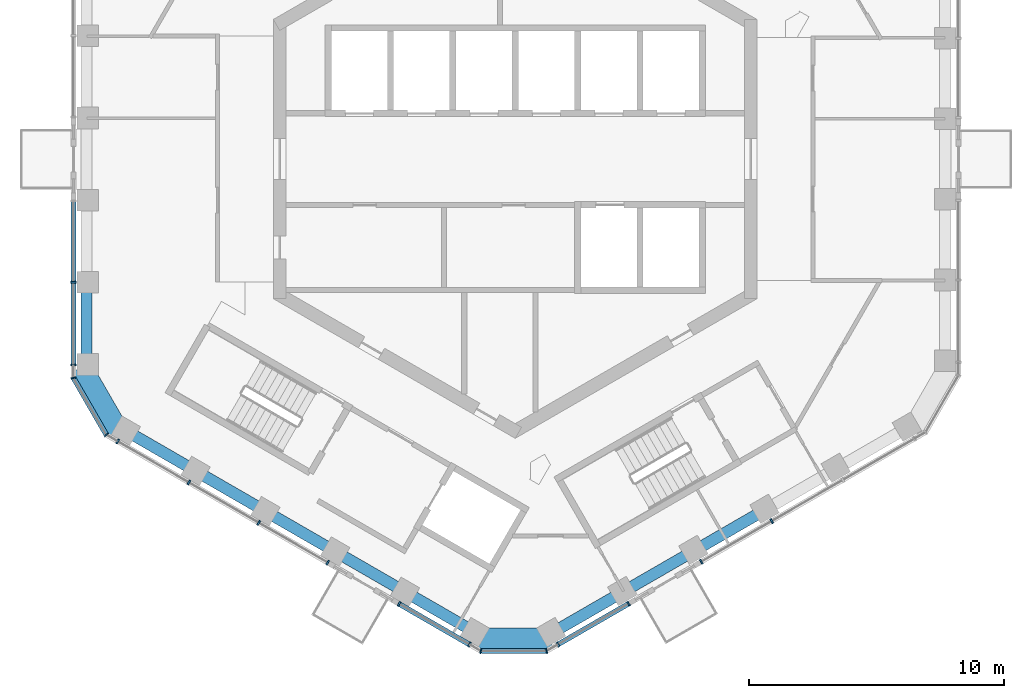
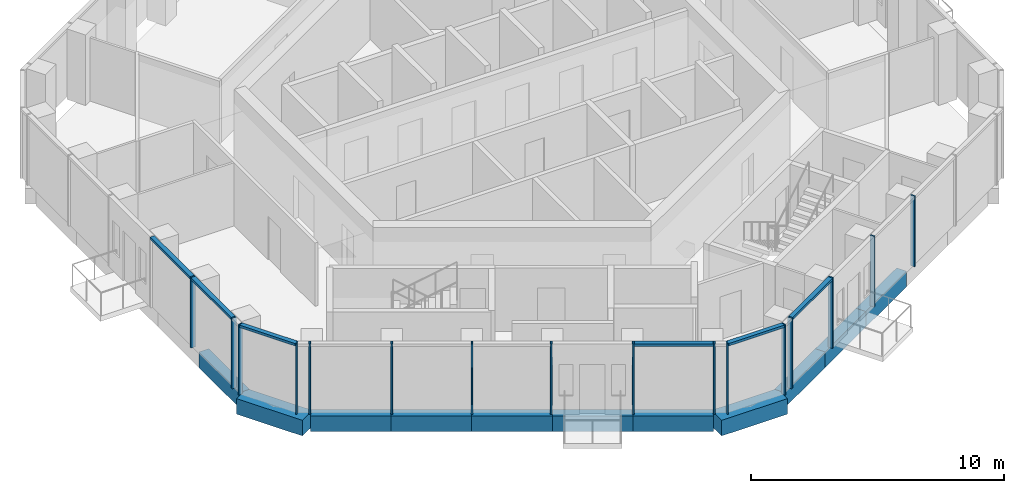
# One storey, part 2 of 19: 21 members, 11 beams, 7 elements without a shape of their own.
"""IFC4 building model written with IfcOpenShell, lengths in metres."""

import ifcopenshell
import ifcopenshell.guid

model = None  # the IFC model being written
_history = None  # IfcOwnerHistory: only IFC2X3 demands one
_inside = {}  # id of a spatial element -> (the spatial element, [elements in it])
_under = {}  # id of a project, library or spatial element -> (it, [spatial elements below it])
_declared = {}  # id of a project -> (the project, [libraries it declares])
_typed = {}  # id of a type object -> (the type object, [elements of that type])
_made_of = {}  # id of a material, layer set ... -> (it, [elements and type objects made of it])


def new_model(schema):
    """Start an empty IFC model of exactly this schema.

    Asked for "IFC4X3", IfcOpenShell would pick the latest addendum, in which some entities
    have other attributes; the version numbers below select the first issue.
    IFC2X3 requires an IfcOwnerHistory on every rooted entity: one is made here for all.
    """
    global model, _history
    if schema == "IFC4X3":
        model = ifcopenshell.file(schema_version=(4, 3, 0, 0))
    else:
        model = ifcopenshell.file(schema=schema)
    _inside.clear()
    _under.clear()
    _declared.clear()
    _typed.clear()
    _made_of.clear()
    _history = None
    if model.schema == "IFC2X3":
        org = make("IfcOrganization", Name="unknown")
        user = make(
            "IfcPersonAndOrganization",
            ThePerson=make("IfcPerson", FamilyName="unknown"),
            TheOrganization=org,
        )
        app = make(
            "IfcApplication",
            ApplicationDeveloper=org,
            Version="unknown",
            ApplicationFullName="unknown",
            ApplicationIdentifier="unknown",
        )
        _history = make(
            "IfcOwnerHistory",
            OwningUser=user,
            OwningApplication=app,
            ChangeAction="ADDED",
            CreationDate=0,
        )
    return model


def make(cls, **values):
    """One entity of the class cls with the attributes given. An attribute that is None is left unset."""
    return model.create_entity(
        cls, **{name: value for name, value in values.items() if value is not None}
    )


def rooted(cls, **values):
    """An entity with a GlobalId (a new one), such as an element, a storey or a relation."""
    return make(cls, GlobalId=ifcopenshell.guid.new(), OwnerHistory=_history, **values)


def si_unit(unit_type, name, prefix=None):
    """IfcSIUnit, for example si_unit("LENGTHUNIT", "METRE", prefix="MILLI")."""
    return make("IfcSIUnit", UnitType=unit_type, Prefix=prefix, Name=name)


def assignment(units):
    """IfcUnitAssignment: the units of a project."""
    return None if units is None else make("IfcUnitAssignment", Units=units)


def point(xyz):
    """IfcCartesianPoint."""
    return None if xyz is None else make("IfcCartesianPoint", Coordinates=xyz)


def direction(xyz):
    """IfcDirection."""
    return None if xyz is None else make("IfcDirection", DirectionRatios=xyz)


def frame(location, z_axis=None, x_axis=None):
    """IfcAxis2Placement3D, a coordinate frame: its origin and axes. An axis left out is left unset."""
    return make(
        "IfcAxis2Placement3D",
        Location=point(location),
        Axis=direction(z_axis),
        RefDirection=direction(x_axis),
    )


def frame_2d(location, x_axis=None):
    """IfcAxis2Placement2D, a coordinate frame in the plane: its origin and x axis."""
    return make(
        "IfcAxis2Placement2D", Location=point(location), RefDirection=direction(x_axis)
    )


def origin():
    """The frame at (0, 0, 0) with its axes left unset."""
    return frame((0.0, 0.0, 0.0))


def origin_2d():
    """The frame at (0, 0) in the plane with its x axis left unset."""
    return frame_2d((0.0, 0.0))


def place(relative_to, where):
    """IfcLocalPlacement: puts the frame where relative to a parent placement (None: the world)."""
    return make(
        "IfcLocalPlacement", PlacementRelTo=relative_to, RelativePlacement=where
    )


def context(
    kind, dimensions, precision=None, world=None, true_north=None, identifier=None
):
    """IfcGeometricRepresentationContext, for example the 3D "Model" context."""
    return make(
        "IfcGeometricRepresentationContext",
        ContextIdentifier=identifier,
        ContextType=kind,
        CoordinateSpaceDimension=dimensions,
        Precision=precision,
        WorldCoordinateSystem=world,
        TrueNorth=true_north,
    )


def subcontext(parent, identifier, kind, view, scale=None):
    """IfcGeometricRepresentationSubContext, for example "Body" below "Model"."""
    return make(
        "IfcGeometricRepresentationSubContext",
        ContextIdentifier=identifier,
        ContextType=kind,
        ParentContext=parent,
        TargetScale=scale,
        TargetView=view,
    )


def project(units=None, contexts=None):
    """IfcProject with its units and contexts."""
    return rooted(
        "IfcProject",
        Name="project",
        RepresentationContexts=contexts,
        UnitsInContext=assignment(units),
    )


def spatial(cls, under=None, at=None, **own):
    """A site, building, storey or space (cls), placed at a placement, below another one or the project."""
    s = rooted(cls, ObjectPlacement=at, **own)
    if under is not None:
        _under.setdefault(under.id(), (under, []))[1].append(s)
    return s


def profile(cls, at=None, kind="AREA", **sizes):
    """A parametric profile (cls). Its sizes go by their IFC names, for example OverallWidth=200.0."""
    return make(cls, ProfileType=kind, Position=at, **sizes)


def rectangle(**sizes):
    """IfcRectangleProfileDef."""
    return profile("IfcRectangleProfileDef", **sizes)


def extrude(swept, where, along, depth):
    """IfcExtrudedAreaSolid: the profile swept, set in the frame where, extruded along a direction by depth."""
    return make(
        "IfcExtrudedAreaSolid",
        SweptArea=swept,
        Position=where,
        ExtrudedDirection=direction(along),
        Depth=depth,
    )


def shape(context_of_items, identifier, shape_type, items):
    """IfcShapeRepresentation: the items that make up one representation, for example the "Body"."""
    return make(
        "IfcShapeRepresentation",
        ContextOfItems=context_of_items,
        RepresentationIdentifier=identifier,
        RepresentationType=shape_type,
        Items=items,
    )


def material(Name=None, Category=None):
    """IfcMaterial."""
    return make("IfcMaterial", Name=Name, Category=Category)


def layer(
    of_material, thickness, ventilated=None, Name=None, Category=None, Priority=None
):
    """IfcMaterialLayer: one layer of a wall or slab, of a material (None: an air gap)."""
    return make(
        "IfcMaterialLayer",
        Material=of_material,
        LayerThickness=thickness,
        IsVentilated=ventilated,
        Name=Name,
        Category=Category,
        Priority=Priority,
    )


def layer_set(layers, Name=None):
    """IfcMaterialLayerSet."""
    return make("IfcMaterialLayerSet", MaterialLayers=layers, LayerSetName=Name)


def material_profile(
    of_material, cross_section, Name=None, Category=None, Priority=None
):
    """IfcMaterialProfile: a cross section and its material."""
    return make(
        "IfcMaterialProfile",
        Name=Name,
        Material=of_material,
        Profile=cross_section,
        Priority=Priority,
        Category=Category,
    )


def profile_set(profiles, Name=None, composite=None):
    """IfcMaterialProfileSet."""
    return make(
        "IfcMaterialProfileSet",
        Name=Name,
        MaterialProfiles=profiles,
        CompositeProfile=composite,
    )


def made_of(thing, what):
    """Note that an element or type object is made of a material, layer set ...; save() writes the relation."""
    if what is not None:
        _made_of.setdefault(what.id(), (what, []))[1].append(thing)
    return thing


def type_object(cls, material=None, **own):
    """A type object (cls), such as IfcWallType, which elements share."""
    return made_of(rooted(cls, **own), material)


def element(
    cls,
    number,
    at=None,
    inside=None,
    cuts=None,
    type_object=None,
    material=None,
    context=None,
    identifier="Body",
    shape_type=None,
    held_by="IfcProductDefinitionShape",
    body=None,
    shapes=None,
    **own,
):
    """One element of the class cls, such as IfcWall. Its Tag is "e" and its number.

    at: its placement. inside: the storey or other place that contains it. cuts: it is an
    opening in that element (IfcRelVoidsElement). A single representation is given by context,
    identifier, shape_type and body (its items); several are given by shapes. held_by: the class
    of the entity that holds the representations. save() writes the other relations.
    """
    e = rooted(cls, Tag="e%d" % number, ObjectPlacement=at, **own)
    if body is not None:
        shapes = [shape(context, identifier, shape_type, body)]
    if shapes is not None:
        e.Representation = make(held_by, Representations=shapes)
    if inside is not None:
        _inside.setdefault(inside.id(), (inside, []))[1].append(e)
    if cuts is not None:
        rooted(
            "IfcRelVoidsElement", RelatingBuildingElement=cuts, RelatedOpeningElement=e
        )
    if type_object is not None:
        _typed.setdefault(type_object.id(), (type_object, []))[1].append(e)
    return made_of(e, material)


def aggregate(whole, parts):
    """IfcRelAggregates: a whole, such as a stair, and the parts it consists of."""
    return rooted("IfcRelAggregates", RelatingObject=whole, RelatedObjects=parts)


def save(model, path):
    """Write the relations noted so far, then the file.

    IfcRelAggregates (storeys below a building ...), IfcRelContainedInSpatialStructure (elements
    in a storey), IfcRelDefinesByType, IfcRelAssociatesMaterial and IfcRelDeclares: one each for
    every whole, place, type object, material and project.
    """
    for whole, parts in _under.values():
        aggregate(whole, parts)
    for where, things in _inside.values():
        rooted(
            "IfcRelContainedInSpatialStructure",
            RelatedElements=things,
            RelatingStructure=where,
        )
    for kind, things in _typed.values():
        rooted("IfcRelDefinesByType", RelatedObjects=things, RelatingType=kind)
    for what, things in _made_of.values():
        rooted("IfcRelAssociatesMaterial", RelatedObjects=things, RelatingMaterial=what)
    for by, libraries in _declared.values():
        rooted("IfcRelDeclares", RelatingContext=by, RelatedDefinitions=libraries)
    model.write(path)


model = new_model("IFC4")

# Units and contexts
model_context = context("Model", 3, precision=1e-05, world=origin(), true_north=direction((0.0, 1.0)))
body_context = subcontext(model_context, "Body", "Model", "MODEL_VIEW")
ifc_project = project(units=[si_unit("LENGTHUNIT", "METRE"), si_unit("AREAUNIT", "SQUARE_METRE"), si_unit("VOLUMEUNIT", "CUBIC_METRE"), si_unit("PLANEANGLEUNIT", "RADIAN"), si_unit("MASSUNIT", "GRAM", prefix="KILO")], contexts=[model_context])

# Site, building, storey
site_placement = place(None, origin())
site = spatial("IfcSite", under=ifc_project, at=site_placement, CompositionType="ELEMENT")
building_placement = place(site_placement, origin())
building = spatial("IfcBuilding", under=site, at=building_placement, Name="Ayvan Gate Tower", CompositionType="ELEMENT")
storey_placement = place(building_placement, frame((0.0, 0.0, 222.300048828125)))
storey = spatial("IfcBuildingStorey", under=building, at=storey_placement, Name="L59", CompositionType="ELEMENT", Elevation=222.300048828125)

# Beams
ifc_material_1 = material(Name="Concrete C40/50", Category="concrete")
ifc_material_profile_1 = material_profile(ifc_material_1, rectangle(XDim=0.800048828125, YDim=0.75, at=origin_2d()), Name="RC 800x750")
ifc_profile_set_1 = profile_set([ifc_material_profile_1], Name="Concrete C40/50")
beam_type_1 = type_object("IfcBeamType", Name="Corner spandrel beam RC 800x750 C40/50", PredefinedType="BEAM", material=ifc_profile_set_1)
for number, where, z_axis, x_axis, name in (
    (1, (-17.03125, -8.15478515625, -0.72509765625), (0.499990139034, -0.866031096941, 0.0), (0.866031096941, 0.499990139034, 0.0), "SB-L59-24"),
    (2, (-1.546630859375, -18.826904296875, -0.72509765625), (1.0, 0.0, 0.0), (0.0, 1.0, 0.0), "SB-L59-30"),
):
    element("IfcBeam", number, at=place(storey_placement, frame(where, z_axis=z_axis, x_axis=x_axis)), inside=storey, type_object=beam_type_1, Name=name, PredefinedType="BEAM", context=body_context, shape_type="SweptSolid", body=[
        extrude(rectangle(XDim=0.800048828125, YDim=0.75, at=origin_2d()), origin(), (0.0, 0.0, 1.0), 3.0),
    ])
ifc_material_profile_2 = material_profile(ifc_material_1, rectangle(XDim=0.449951171875, YDim=0.75, at=origin_2d()), Name="RC 450x750")
ifc_profile_set_2 = profile_set([ifc_material_profile_2], Name="Concrete C40/50")
beam_type_2 = type_object("IfcBeamType", Name="Spandrel beam RC 450x750 C40/50", PredefinedType="BEAM", material=ifc_profile_set_2)
beam_1_placement = place(storey_placement, frame((-16.8408203125, -4.826904296875, -0.72509765625), z_axis=(0.0, -1.0, 0.0), x_axis=(1.0, 0.0, 0.0)))
element("IfcBeam", 3, at=beam_1_placement, inside=storey, type_object=beam_type_2, Name="SB-L59-23", PredefinedType="BEAM", context=body_context, shape_type="SweptSolid", body=[
    extrude(rectangle(XDim=0.449951171875, YDim=0.75, at=origin_2d()), origin(), (0.0, 0.0, 1.0), 3.218017578125),
])
for number, where, z_axis, x_axis, name in (
    (4, (-15.3408203125, -10.64306640625, -0.72509765625), (0.86602732995, -0.499996663769, 0.0), (0.499996663769, 0.86602732995, 0.0), "SB-L59-25"),
    (5, (-12.58203125, -12.23583984375, -0.72509765625), (0.86602732995, -0.499996663769, 0.0), (0.499996663769, 0.86602732995, 0.0), "SB-L59-26"),
    (6, (-9.8232421875, -13.82861328125, -0.72509765625), (0.86602732995, -0.499996663769, 0.0), (0.499996663769, 0.86602732995, 0.0), "SB-L59-27"),
):
    element("IfcBeam", number, at=place(storey_placement, frame(where, z_axis=z_axis, x_axis=x_axis)), inside=storey, type_object=beam_type_2, Name=name, PredefinedType="BEAM", context=body_context, shape_type="SweptSolid", body=[
        extrude(rectangle(XDim=0.449951171875, YDim=0.75, at=origin_2d()), origin(), (0.0, 0.0, 1.0), 3.185546875),
    ])
beam_2_placement = place(storey_placement, frame((-7.064453125, -15.42138671875, -0.72509765625), z_axis=(0.866046487683, -0.499963479838, 0.0), x_axis=(0.499963479838, 0.866046487683, 0.0)))
element("IfcBeam", 7, at=beam_2_placement, inside=storey, type_object=beam_type_2, Name="SB-L59-28", PredefinedType="BEAM", context=body_context, shape_type="SweptSolid", body=[
    extrude(rectangle(XDim=0.449951171875, YDim=0.75, at=origin_2d()), origin(), (0.0, 0.0, 1.0), 3.185791015625),
])
beam_3_placement = place(storey_placement, frame((-4.305419921875, -17.01416015625, -0.72509765625), z_axis=(0.86602732995, -0.499996663769, 0.0), x_axis=(0.499996663769, 0.86602732995, 0.0)))
element("IfcBeam", 8, at=beam_3_placement, inside=storey, type_object=beam_type_2, Name="SB-L59-29", PredefinedType="BEAM", context=body_context, shape_type="SweptSolid", body=[
    extrude(rectangle(XDim=0.449951171875, YDim=0.75, at=origin_2d()), origin(), (0.0, 0.0, 1.0), 3.185546875),
])
for number, where, z_axis, x_axis, name in (
    (9, (1.453369140625, -18.60693359375, -0.72509765625), (0.866040295995, 0.499974205047, 0.0), (-0.499974205047, 0.866040295995, 0.0), "SB-L59-31"),
    (10, (4.240234375, -16.998046875, -0.72509765625), (0.866040295995, 0.499974205047, 0.0), (-0.499974205047, 0.866040295995, 0.0), "SB-L59-32"),
):
    element("IfcBeam", number, at=place(storey_placement, frame(where, z_axis=z_axis, x_axis=x_axis)), inside=storey, type_object=beam_type_2, Name=name, PredefinedType="BEAM", context=body_context, shape_type="SweptSolid", body=[
        extrude(rectangle(XDim=0.449951171875, YDim=0.75, at=origin_2d()), origin(), (0.0, 0.0, 1.0), 3.218017578125),
    ])
beam_4_placement = place(storey_placement, frame((7.027099609375, -15.38916015625, -0.72509765625), z_axis=(0.865988473761, 0.500063959222, 0.0), x_axis=(-0.500063959222, 0.865988473761, 0.0)))
element("IfcBeam", 11, at=beam_4_placement, inside=storey, type_object=beam_type_2, Name="SB-L59-33", PredefinedType="BEAM", context=body_context, shape_type="SweptSolid", body=[
    extrude(rectangle(XDim=0.449951171875, YDim=0.75, at=origin_2d()), origin(), (0.0, 0.0, 1.0), 3.2177734375),
])

# Curtain wall, members
ifc_material_2 = material(Name="Bronze anodised aluminium", Category="aluminium")
ifc_layer_1 = layer(ifc_material_2, 0.199951171875)
ifc_layer_set_1 = layer_set([ifc_layer_1], Name="Bronze anodised aluminium")
curtain_wall_type_1 = type_object("IfcCurtainWallType", Name="Stick curtain wall CW-2", PredefinedType="NOTDEFINED", material=ifc_layer_set_1)
curtain_wall_1_placement = place(storey_placement, origin())
curtain_wall_1 = element("IfcCurtainWall", 12, at=curtain_wall_1_placement, inside=storey, type_object=curtain_wall_type_1, Name="Stick curtain wall CW-2 L59", PredefinedType="NOTDEFINED")
ifc_material_profile_3 = material_profile(ifc_material_2, rectangle(XDim=0.199951171875, YDim=0.070068359375, at=origin_2d()), Name="Stick curtain wall CW-2 mullion 200 x 70")
ifc_profile_set_3 = profile_set([ifc_material_profile_3], Name="Bronze anodised aluminium")
member_type_1 = type_object("IfcMemberType", Name="Stick curtain wall CW-2 mullion 200 x 70", PredefinedType="MULLION", material=ifc_profile_set_3)
member_1_placement = place(storey_placement, frame((-17.35302734375, -4.841552734375, 0.0), z_axis=(0.0, 0.0, 1.0), x_axis=(-1.0, 0.0, 0.0)))
member_1 = element("IfcMember", 13, at=member_1_placement, type_object=member_type_1, Name="CW-2 mullion 2", PredefinedType="MULLION", context=body_context, shape_type="SweptSolid", body=[
    extrude(rectangle(XDim=0.199951171875, YDim=0.070068359375, at=origin_2d()), origin(), (0.0, 0.0, 1.0), 3.39990234375),
])
member_2_placement = place(storey_placement, frame((-17.35302734375, -8.08642578125, 0.0), z_axis=(0.0, 0.0, 1.0), x_axis=(-1.0, 0.0, 0.0)))
member_2 = element("IfcMember", 14, at=member_2_placement, type_object=member_type_1, Name="CW-2 mullion 3", PredefinedType="MULLION", context=body_context, shape_type="SweptSolid", body=[
    extrude(rectangle(XDim=0.199951171875, YDim=0.070068359375, at=origin_2d()), origin(), (0.0, 0.0, 1.0), 3.39990234375),
])

curtain_wall_2_placement = place(storey_placement, origin())
curtain_wall_2 = element("IfcCurtainWall", 15, at=curtain_wall_2_placement, inside=storey, type_object=curtain_wall_type_1, Name="Stick curtain wall CW-2 L59", PredefinedType="NOTDEFINED")
member_3_placement = place(storey_placement, frame((-15.6201171875, -11.087890625, 0.0), z_axis=(0.0, 0.0, 1.0), x_axis=(-0.5, -0.866025403784, 0.0)))
member_3 = element("IfcMember", 16, at=member_3_placement, type_object=member_type_1, Name="CW-2 mullion 1", PredefinedType="MULLION", context=body_context, shape_type="SweptSolid", body=[
    extrude(rectangle(XDim=0.199951171875, YDim=0.070068359375, at=origin_2d()), origin(), (0.0, 0.0, 1.0), 3.39990234375),
])
member_4_placement = place(storey_placement, frame((-12.819580078125, -12.704833984375, 0.0), z_axis=(0.0, 0.0, 1.0), x_axis=(-0.5, -0.866025403784, 0.0)))
member_4 = element("IfcMember", 17, at=member_4_placement, type_object=member_type_1, Name="CW-2 mullion 2", PredefinedType="MULLION", context=body_context, shape_type="SweptSolid", body=[
    extrude(rectangle(XDim=0.199951171875, YDim=0.070068359375, at=origin_2d()), origin(), (0.0, 0.0, 1.0), 3.39990234375),
])
member_5_placement = place(storey_placement, frame((-10.07666015625, -14.288330078125, 0.0), z_axis=(0.0, 0.0, 1.0), x_axis=(-0.5, -0.866025403784, 0.0)))
member_5 = element("IfcMember", 18, at=member_5_placement, type_object=member_type_1, Name="CW-2 mullion 3", PredefinedType="MULLION", context=body_context, shape_type="SweptSolid", body=[
    extrude(rectangle(XDim=0.199951171875, YDim=0.070068359375, at=origin_2d()), origin(), (0.0, 0.0, 1.0), 3.39990234375),
])
member_6_placement = place(storey_placement, frame((-7.365234375, -15.85400390625, 0.0), z_axis=(0.0, 0.0, 1.0), x_axis=(-0.5, -0.866025403784, 0.0)))
member_6 = element("IfcMember", 19, at=member_6_placement, type_object=member_type_1, Name="CW-2 mullion 4", PredefinedType="MULLION", context=body_context, shape_type="SweptSolid", body=[
    extrude(rectangle(XDim=0.199951171875, YDim=0.070068359375, at=origin_2d()), origin(), (0.0, 0.0, 1.0), 3.39990234375),
])
aggregate(curtain_wall_2, [member_3, member_4, member_5, member_6])

curtain_wall_3_placement = place(storey_placement, origin())
curtain_wall_3 = element("IfcCurtainWall", 20, at=curtain_wall_3_placement, inside=storey, type_object=curtain_wall_type_1, Name="Stick curtain wall CW-2 L59", PredefinedType="NOTDEFINED")
member_7_placement = place(storey_placement, frame((-4.562744140625, -17.471923828125, 0.0), z_axis=(0.0, 0.0, 1.0), x_axis=(-0.5, -0.866025403784, 0.0)))
member_7 = element("IfcMember", 21, at=member_7_placement, type_object=member_type_1, Name="CW-2 mullion 1", PredefinedType="MULLION", context=body_context, shape_type="SweptSolid", body=[
    extrude(rectangle(XDim=0.199951171875, YDim=0.070068359375, at=origin_2d()), origin(), (0.0, 0.0, 1.0), 3.39990234375),
])
member_8_placement = place(storey_placement, frame((-1.792236328125, -19.071533203125, 0.0), z_axis=(0.0, 0.0, 1.0), x_axis=(-0.5, -0.866025403784, 0.0)))
member_8 = element("IfcMember", 22, at=member_8_placement, type_object=member_type_1, Name="CW-2 mullion 2", PredefinedType="MULLION", context=body_context, shape_type="SweptSolid", body=[
    extrude(rectangle(XDim=0.199951171875, YDim=0.070068359375, at=origin_2d()), origin(), (0.0, 0.0, 1.0), 3.39990234375),
])

curtain_wall_4_placement = place(storey_placement, origin())
curtain_wall_4 = element("IfcCurtainWall", 23, at=curtain_wall_4_placement, inside=storey, type_object=curtain_wall_type_1, Name="Stick curtain wall CW-2 L59", PredefinedType="NOTDEFINED")
member_9_placement = place(storey_placement, frame((1.673583984375, -19.071533203125, 0.0), z_axis=(0.0, 0.0, 1.0), x_axis=(0.5, -0.866025403784, 0.0)))
member_9 = element("IfcMember", 24, at=member_9_placement, type_object=member_type_1, Name="CW-2 mullion 1", PredefinedType="MULLION", context=body_context, shape_type="SweptSolid", body=[
    extrude(rectangle(XDim=0.199951171875, YDim=0.070068359375, at=origin_2d()), origin(), (0.0, 0.0, 1.0), 3.39990234375),
])
member_10_placement = place(storey_placement, frame((4.45361328125, -17.466552734375, 0.0), z_axis=(0.0, 0.0, 1.0), x_axis=(0.5, -0.866025403784, 0.0)))
member_10 = element("IfcMember", 25, at=member_10_placement, type_object=member_type_1, Name="CW-2 mullion 2", PredefinedType="MULLION", context=body_context, shape_type="SweptSolid", body=[
    extrude(rectangle(XDim=0.199951171875, YDim=0.070068359375, at=origin_2d()), origin(), (0.0, 0.0, 1.0), 3.39990234375),
])

curtain_wall_5_placement = place(storey_placement, origin())
curtain_wall_5 = element("IfcCurtainWall", 26, at=curtain_wall_5_placement, inside=storey, type_object=curtain_wall_type_1, Name="Stick curtain wall CW-2 L59", PredefinedType="NOTDEFINED")
member_11_placement = place(storey_placement, frame((7.308837890625, -15.81787109375, 0.0), z_axis=(0.0, 0.0, 1.0), x_axis=(0.5, -0.866025403784, 0.0)))
member_11 = element("IfcMember", 27, at=member_11_placement, type_object=member_type_1, Name="CW-2 mullion 1", PredefinedType="MULLION", context=body_context, shape_type="SweptSolid", body=[
    extrude(rectangle(XDim=0.199951171875, YDim=0.070068359375, at=origin_2d()), origin(), (0.0, 0.0, 1.0), 3.39990234375),
])
member_12_placement = place(storey_placement, frame((10.073974609375, -14.221435546875, 0.0), z_axis=(0.0, 0.0, 1.0), x_axis=(0.5, -0.866025403784, 0.0)))
member_12 = element("IfcMember", 28, at=member_12_placement, type_object=member_type_1, Name="CW-2 mullion 2", PredefinedType="MULLION", context=body_context, shape_type="SweptSolid", body=[
    extrude(rectangle(XDim=0.199951171875, YDim=0.070068359375, at=origin_2d()), origin(), (0.0, 0.0, 1.0), 3.39990234375),
])
aggregate(curtain_wall_5, [member_11, member_12])

# Member
ifc_material_profile_4 = material_profile(ifc_material_2, rectangle(XDim=0.199951171875, YDim=0.1201171875, at=origin_2d()), Name="Stick curtain wall CW-2 transom 200 x 120")
ifc_profile_set_4 = profile_set([ifc_material_profile_4], Name="Bronze anodised aluminium")
member_type_2 = type_object("IfcMemberType", Name="Stick curtain wall CW-2 transom 200 x 120", PredefinedType="USERDEFINED", material=ifc_profile_set_4)
member_13_placement = place(storey_placement, frame((-17.35302734375, -1.648681640625, 3.33984375), z_axis=(0.0, -1.0, 0.0), x_axis=(1.0, 0.0, 0.0)))
member_13 = element("IfcMember", 29, at=member_13_placement, type_object=member_type_2, Name="CW-2 transom 1", ObjectType="TRANSOM", PredefinedType="USERDEFINED", context=body_context, shape_type="SweptSolid", body=[
    extrude(rectangle(XDim=0.199951171875, YDim=0.1201171875, at=origin_2d()), origin(), (0.0, 0.0, 1.0), 6.437744140625),
])

aggregate(curtain_wall_1, [member_1, member_2, member_13])

member_14_placement = place(storey_placement, frame((-4.562744140625, -17.471923828125, 3.33984375), z_axis=(0.866017831539, -0.500013115284, 0.0), x_axis=(0.500013115284, 0.866017831539, 0.0)))
member_14 = element("IfcMember", 30, at=member_14_placement, type_object=member_type_2, Name="CW-2 transom 1", ObjectType="TRANSOM", PredefinedType="USERDEFINED", context=body_context, shape_type="SweptSolid", body=[
    extrude(rectangle(XDim=0.199951171875, YDim=0.1201171875, at=origin_2d()), origin(), (0.0, 0.0, 1.0), 3.19921875),
])

aggregate(curtain_wall_3, [member_7, member_8, member_14])

member_15_placement = place(storey_placement, frame((1.673583984375, -19.071533203125, 3.33984375), z_axis=(0.866034872269, 0.499983599745, 0.0), x_axis=(-0.499983599745, 0.866034872269, 0.0)))
member_15 = element("IfcMember", 31, at=member_15_placement, type_object=member_type_2, Name="CW-2 transom 1", ObjectType="TRANSOM", PredefinedType="USERDEFINED", context=body_context, shape_type="SweptSolid", body=[
    extrude(rectangle(XDim=0.199951171875, YDim=0.1201171875, at=origin_2d()), origin(), (0.0, 0.0, 1.0), 3.2099609375),
])

aggregate(curtain_wall_4, [member_9, member_10, member_15])

# Curtain wall, members
ifc_layer_2 = layer(ifc_material_2, 0.199951171875)
ifc_layer_set_2 = layer_set([ifc_layer_2], Name="Bronze anodised aluminium")
curtain_wall_type_2 = type_object("IfcCurtainWallType", Name="Stick curtain wall CW-6", PredefinedType="NOTDEFINED", material=ifc_layer_set_2)
curtain_wall_6_placement = place(storey_placement, origin())
curtain_wall_6 = element("IfcCurtainWall", 32, at=curtain_wall_6_placement, inside=storey, type_object=curtain_wall_type_2, Name="Stick curtain wall CW-6 L59", PredefinedType="NOTDEFINED")
ifc_material_profile_5 = material_profile(ifc_material_2, rectangle(XDim=0.199951171875, YDim=0.050048828125, at=origin_2d()), Name="Stick curtain wall CW-6 mullion 200 x 50")
ifc_profile_set_5 = profile_set([ifc_material_profile_5], Name="Bronze anodised aluminium")
member_type_3 = type_object("IfcMemberType", Name="Stick curtain wall CW-6 mullion 200 x 50", PredefinedType="MULLION", material=ifc_profile_set_5)
member_16_placement = place(storey_placement, frame((-17.35302734375, -8.596435546875, 0.0), z_axis=(0.0, 0.0, 1.0), x_axis=(-0.965925826289, -0.258819045103, 0.0)))
member_16 = element("IfcMember", 33, at=member_16_placement, type_object=member_type_3, Name="CW-6 mullion 2", PredefinedType="MULLION", context=body_context, shape_type="SweptSolid", body=[
    extrude(rectangle(XDim=0.199951171875, YDim=0.050048828125, at=origin_2d()), origin(), (0.0, 0.0, 1.0), 3.39990234375),
])
member_17_placement = place(storey_placement, frame((-16.061767578125, -10.8330078125, 0.0), z_axis=(0.0, 0.0, 1.0), x_axis=(-0.707106781187, -0.707106781187, 0.0)))
member_17 = element("IfcMember", 34, at=member_17_placement, type_object=member_type_3, Name="CW-6 mullion 3", PredefinedType="MULLION", context=body_context, shape_type="SweptSolid", body=[
    extrude(rectangle(XDim=0.199951171875, YDim=0.050048828125, at=origin_2d()), origin(), (0.0, 0.0, 1.0), 3.39990234375),
])

curtain_wall_7_placement = place(storey_placement, origin())
curtain_wall_7 = element("IfcCurtainWall", 35, at=curtain_wall_7_placement, inside=storey, type_object=curtain_wall_type_2, Name="Stick curtain wall CW-6 L59", PredefinedType="NOTDEFINED")
member_18_placement = place(storey_placement, frame((-1.3505859375, -19.326416015625, 0.0), z_axis=(0.0, 0.0, 1.0), x_axis=(-0.258819045103, -0.965925826289, 0.0)))
member_18 = element("IfcMember", 36, at=member_18_placement, type_object=member_type_3, Name="CW-6 mullion 2", PredefinedType="MULLION", context=body_context, shape_type="SweptSolid", body=[
    extrude(rectangle(XDim=0.199951171875, YDim=0.050048828125, at=origin_2d()), origin(), (0.0, 0.0, 1.0), 3.39990234375),
])
member_19_placement = place(storey_placement, frame((1.23193359375, -19.326416015625, 0.0), z_axis=(0.0, 0.0, 1.0), x_axis=(0.258819045103, -0.965925826289, 0.0)))
member_19 = element("IfcMember", 37, at=member_19_placement, type_object=member_type_3, Name="CW-6 mullion 3", PredefinedType="MULLION", context=body_context, shape_type="SweptSolid", body=[
    extrude(rectangle(XDim=0.199951171875, YDim=0.050048828125, at=origin_2d()), origin(), (0.0, 0.0, 1.0), 3.39990234375),
])

# Member
ifc_material_profile_6 = material_profile(ifc_material_2, rectangle(XDim=0.199951171875, YDim=0.1201171875, at=origin_2d()), Name="Stick curtain wall CW-6 transom 200 x 120")
ifc_profile_set_6 = profile_set([ifc_material_profile_6], Name="Bronze anodised aluminium")
member_type_4 = type_object("IfcMemberType", Name="Stick curtain wall CW-6 transom 200 x 120", PredefinedType="USERDEFINED", material=ifc_profile_set_6)
member_20_placement = place(storey_placement, frame((-17.340576171875, -8.617919921875, 3.33984375), z_axis=(0.499933856714, -0.866063588261, 0.0), x_axis=(0.866063588261, 0.499933856714, 0.0)))
member_20 = element("IfcMember", 38, at=member_20_placement, type_object=member_type_4, Name="CW-6 transom 2", ObjectType="TRANSOM", PredefinedType="USERDEFINED", context=body_context, shape_type="SweptSolid", body=[
    extrude(rectangle(XDim=0.199951171875, YDim=0.1201171875, at=origin_2d()), origin(), (0.0, 0.0, 1.0), 2.532470703125),
])

aggregate(curtain_wall_6, [member_16, member_17, member_20])

member_21_placement = place(storey_placement, frame((-1.32568359375, -19.326416015625, 3.33984375), z_axis=(1.0, 0.0, 0.0), x_axis=(0.0, 1.0, 0.0)))
member_21 = element("IfcMember", 39, at=member_21_placement, type_object=member_type_4, Name="CW-6 transom 2", ObjectType="TRANSOM", PredefinedType="USERDEFINED", context=body_context, shape_type="SweptSolid", body=[
    extrude(rectangle(XDim=0.199951171875, YDim=0.1201171875, at=origin_2d()), origin(), (0.0, 0.0, 1.0), 2.53271484375),
])

aggregate(curtain_wall_7, [member_18, member_19, member_21])

save(model, "model.ifc")
